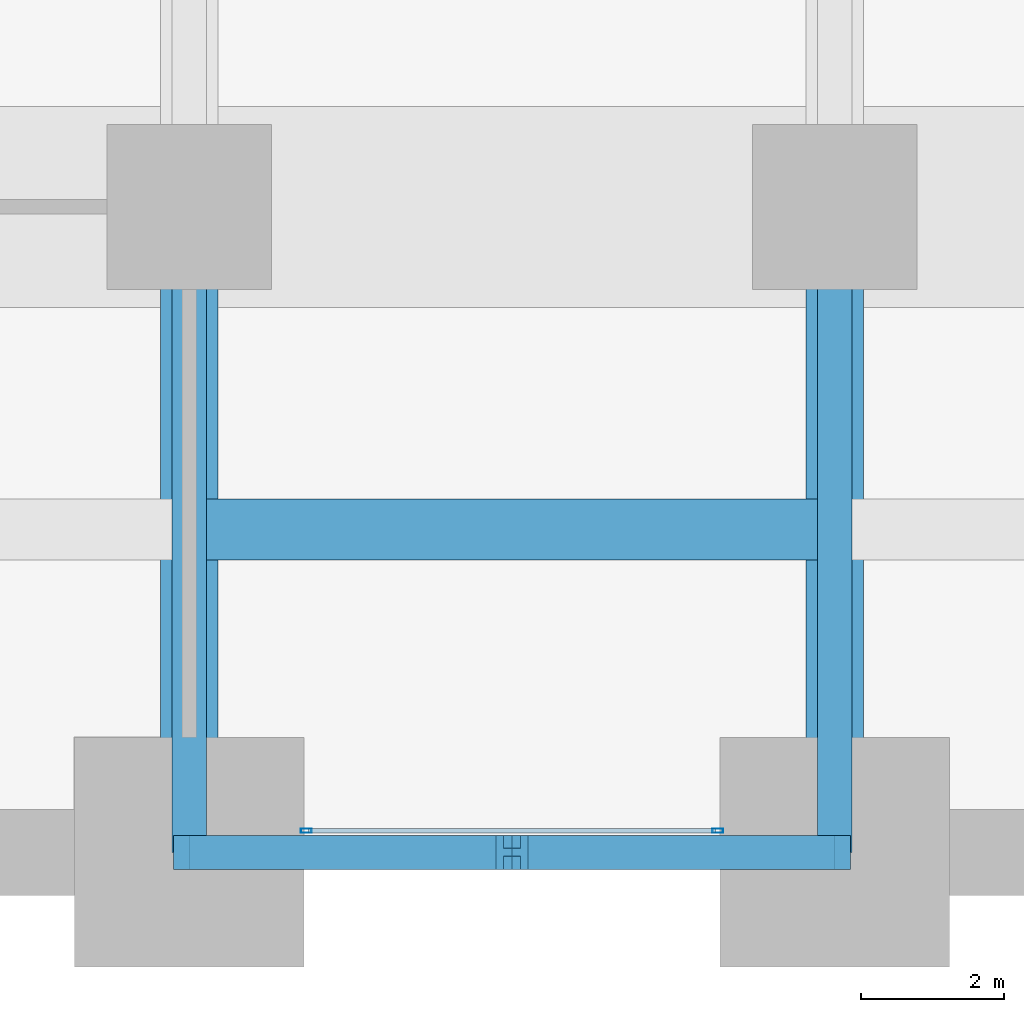
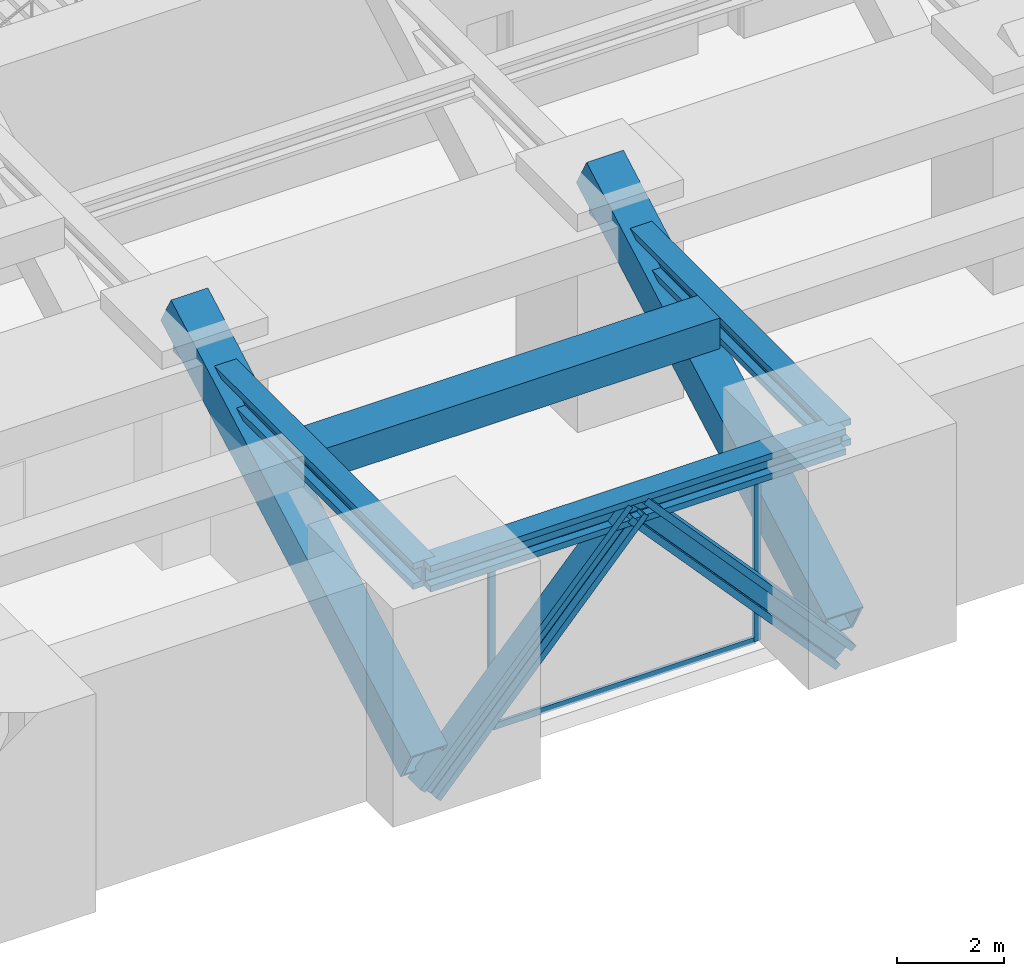
# One storey, part 4 of 35: 7 members, 4 beams, 1 element without a shape of its own.
"""IFC4 building model written with IfcOpenShell, lengths in metres."""

from ifc_helpers import new_model, si_unit, direction, frame, origin, origin_2d, place, context, subcontext, project, spatial, rectangle, hollow_rectangle, i_section, extrude, material, material_profile, profile_set, type_object, element, aggregate, save


model = new_model("IFC4")

# Units and contexts
model_context = context("Model", 3, precision=1e-05, world=origin(), true_north=direction((0.0, 1.0)))
body_context = subcontext(model_context, "Body", "Model", "MODEL_VIEW")
ifc_project = project(units=[si_unit("LENGTHUNIT", "METRE"), si_unit("AREAUNIT", "SQUARE_METRE"), si_unit("VOLUMEUNIT", "CUBIC_METRE"), si_unit("PLANEANGLEUNIT", "RADIAN"), si_unit("MASSUNIT", "GRAM", prefix="KILO")], contexts=[model_context])

# Site, building, storey
site_placement = place(None, origin())
site = spatial("IfcSite", under=ifc_project, at=site_placement, CompositionType="ELEMENT")
building_placement = place(site_placement, origin())
building = spatial("IfcBuilding", under=site, at=building_placement, Name="Zorevar Civic Tower", CompositionType="ELEMENT")
storey_placement = place(building_placement, frame((0.0, 0.0, 80.0)))
storey = spatial("IfcBuildingStorey", under=building, at=storey_placement, Name="L19", CompositionType="ELEMENT", Elevation=80.0)

# Beams
ifc_material_1 = material(Name="Concrete C50/60", Category="concrete")
ifc_material_profile_1 = material_profile(ifc_material_1, rectangle(XDim=0.85009765625, YDim=0.699951171875, at=origin_2d()), Name="RC 850x700")
ifc_profile_set_1 = profile_set([ifc_material_profile_1], Name="Concrete C50/60")
beam_type_1 = type_object("IfcBeamType", Name="Beam RC 850x700", PredefinedType="BEAM", material=ifc_profile_set_1)
beam_1_placement = place(storey_placement, frame((18.238037109375, 4.5, 4.25), z_axis=(1.0, 0.0, 0.0), x_axis=(0.0, 1.0, 0.0)))
element("IfcBeam", 1, at=beam_1_placement, inside=storey, type_object=beam_type_1, Name="Secondary beam L20", PredefinedType="BEAM", context=body_context, shape_type="SweptSolid", body=[
    extrude(rectangle(XDim=0.85009765625, YDim=0.699951171875, at=origin_2d()), origin(), (0.0, 0.0, 1.0), 8.52392578125),
])
ifc_material_2 = material(Name="Steel S460M (HISTAR 460)", Category="steel")
ifc_material_profile_2 = material_profile(ifc_material_2, i_section(OverallWidth=0.47607421875, OverallDepth=0.60009765625, WebThickness=0.10009765625, FlangeThickness=0.139892578125, FilletRadius=0.014892578125, at=origin_2d()), Name="HD 400x1299")
ifc_profile_set_2 = profile_set([ifc_material_profile_2], Name="Steel S460M (HISTAR 460)")
beam_type_2 = type_object("IfcBeamType", Name="Belt chord HD 400x1299", PredefinedType="BEAM", material=ifc_profile_set_2)
beam_2_placement = place(storey_placement, frame((18.0, 0.0, 4.300048828125), z_axis=(1.0, 0.0, 0.0), x_axis=(0.0, 1.0, 0.0)))
element("IfcBeam", 2, at=beam_2_placement, inside=storey, type_object=beam_type_2, Name="Belt chord L20", PredefinedType="BEAM", context=body_context, shape_type="SweptSolid", body=[
    extrude(i_section(OverallWidth=0.47607421875, OverallDepth=0.60009765625, WebThickness=0.10009765625, FlangeThickness=0.139892578125, FilletRadius=0.014892578125, at=origin_2d()), origin(), (0.0, 0.0, 1.0), 9.0),
])

# Members
ifc_material_3 = material(Name="Steel S460M (HISTAR 460)", Category="steel")
ifc_material_profile_3 = material_profile(ifc_material_3, i_section(OverallWidth=0.47607421875, OverallDepth=0.60009765625, WebThickness=0.10009765625, FlangeThickness=0.139892578125, FilletRadius=0.014892578125, at=origin_2d()), Name="HD 400x1299")
ifc_profile_set_3 = profile_set([ifc_material_profile_3], Name="Steel S460M (HISTAR 460)")
member_type_1 = type_object("IfcMemberType", Name="Belt strut HD 400x1299", PredefinedType="BRACE", material=ifc_profile_set_3)
for number, where, z_axis, x_axis, name in (
    (3, (18.0, 0.0, -0.64990234375), (0.672676426978, 0.0, 0.739936770669), (0.0, 1.0, 0.0), "Belt strut S L19"),
    (4, (27.0, 0.0, -0.64990234375), (-0.672676426978, 0.0, 0.739936770669), (0.0, -1.0, 0.0), "Belt strut S L19"),
):
    element("IfcMember", number, at=place(storey_placement, frame(where, z_axis=z_axis, x_axis=x_axis)), inside=storey, type_object=member_type_1, Name=name, PredefinedType="BRACE", context=body_context, shape_type="SweptSolid", body=[
        extrude(i_section(OverallWidth=0.47607421875, OverallDepth=0.60009765625, WebThickness=0.10009765625, FlangeThickness=0.139892578125, FilletRadius=0.014892578125, at=origin_2d()), origin(), (0.0, 0.0, 1.0), 6.689697265625),
    ])

# Curtain wall, members
ifc_material_4 = material(Name="Black aluminium louvres", Category="aluminium")
curtain_wall_type = type_object("IfcCurtainWallType", Name="Louvred curtain wall CW6 refuge", PredefinedType="NOTDEFINED", material=ifc_material_4)
curtain_wall_placement = place(storey_placement, origin())
curtain_wall = element("IfcCurtainWall", 5, at=curtain_wall_placement, inside=storey, type_object=curtain_wall_type, Name="CW6 L19", PredefinedType="NOTDEFINED")
ifc_material_5 = material(Name="Aluminium, black anodised", Category="aluminium")
ifc_material_profile_4 = material_profile(ifc_material_5, hollow_rectangle(XDim=0.06005859375, YDim=0.14990234375, WallThickness=0.00390625, at=origin_2d()), Name="AL 150x60x4")
ifc_profile_set_4 = profile_set([ifc_material_profile_4], Name="Aluminium, black anodised")
member_type_2 = type_object("IfcMemberType", Name="CW6 mullion AL 150x60x4", PredefinedType="MULLION", material=ifc_profile_set_4)
member_1_placement = place(storey_placement, frame((19.6298828125, 0.300048828125, 0.0), z_axis=(0.0, 0.0, 1.0), x_axis=(0.0, 1.0, 0.0)))
member_1 = element("IfcMember", 6, at=member_1_placement, type_object=member_type_2, Name="CW6 mullion 1", PredefinedType="MULLION", context=body_context, shape_type="SweptSolid", body=[
    extrude(hollow_rectangle(XDim=0.06005859375, YDim=0.14990234375, WallThickness=0.00390625, at=origin_2d()), origin(), (0.0, 0.0, 1.0), 3.800048828125),
])
member_2_placement = place(storey_placement, frame((25.3701171875, 0.300048828125, 0.0), z_axis=(0.0, 0.0, 1.0), x_axis=(0.0, 1.0, 0.0)))
member_2 = element("IfcMember", 7, at=member_2_placement, type_object=member_type_2, Name="CW6 mullion 2", PredefinedType="MULLION", context=body_context, shape_type="SweptSolid", body=[
    extrude(hollow_rectangle(XDim=0.06005859375, YDim=0.14990234375, WallThickness=0.00390625, at=origin_2d()), origin(), (0.0, 0.0, 1.0), 3.800048828125),
])
ifc_material_6 = material(Name="Aluminium, black anodised", Category="aluminium")
ifc_material_profile_5 = material_profile(ifc_material_6, hollow_rectangle(XDim=0.06005859375, YDim=0.14990234375, WallThickness=0.00390625, at=origin_2d()), Name="AL 150x60x4")
ifc_profile_set_5 = profile_set([ifc_material_profile_5], Name="Aluminium, black anodised")
member_type_3 = type_object("IfcMemberType", Name="CW6 transom AL 150x60x4", PredefinedType="USERDEFINED", material=ifc_profile_set_5)
member_3_placement = place(storey_placement, frame((19.659912109375, 0.300048828125, 0.030029296875), z_axis=(1.0, 0.0, 0.0), x_axis=(0.0, 1.0, 0.0)))
member_3 = element("IfcMember", 8, at=member_3_placement, type_object=member_type_3, Name="CW6 sill transom", ObjectType="TRANSOM", PredefinedType="USERDEFINED", context=body_context, shape_type="SweptSolid", body=[
    extrude(hollow_rectangle(XDim=0.06005859375, YDim=0.14990234375, WallThickness=0.00390625, at=origin_2d()), origin(), (0.0, 0.0, 1.0), 5.68017578125),
])
aggregate(curtain_wall, [member_1, member_2, member_3])

# Beams
ifc_material_7 = material(Name="Steel S460M (HISTAR 460)", Category="steel")
ifc_material_profile_6 = material_profile(ifc_material_7, i_section(OverallWidth=0.47607421875, OverallDepth=0.60009765625, WebThickness=0.10009765625, FlangeThickness=0.139892578125, FilletRadius=0.014892578125, at=origin_2d()), Name="HD 400x1299")
ifc_profile_set_6 = profile_set([ifc_material_profile_6], Name="Steel S460M (HISTAR 460)")
beam_type_3 = type_object("IfcBeamType", Name="Outrigger chord HD 400x1299", PredefinedType="BEAM", material=ifc_profile_set_6)
for number, where, z_axis, x_axis, name in (
    (9, (18.0, 0.0, 4.300048828125), (0.0, 1.0, 0.0), (-1.0, 0.0, 0.0), "Outrigger chord L20"),
    (10, (27.0, 0.0, 4.300048828125), (0.0, 1.0, 0.0), (-1.0, 0.0, 0.0), "Outrigger chord L20"),
):
    element("IfcBeam", number, at=place(storey_placement, frame(where, z_axis=z_axis, x_axis=x_axis)), inside=storey, type_object=beam_type_3, Name=name, PredefinedType="BEAM", context=body_context, shape_type="SweptSolid", body=[
        extrude(i_section(OverallWidth=0.47607421875, OverallDepth=0.60009765625, WebThickness=0.10009765625, FlangeThickness=0.139892578125, FilletRadius=0.014892578125, at=origin_2d()), origin(), (0.0, 0.0, 1.0), 9.0),
    ])

# Members
ifc_material_8 = material(Name="Steel S460M (HISTAR 460)", Category="steel")
ifc_material_profile_7 = material_profile(ifc_material_8, hollow_rectangle(XDim=0.800048828125, YDim=0.800048828125, WallThickness=0.06005859375, at=origin_2d()), Name="BOX 800x800x60")
ifc_profile_set_7 = profile_set([ifc_material_profile_7], Name="Steel S460M (HISTAR 460)")
member_type_4 = type_object("IfcMemberType", Name="Outrigger diagonal BOX 800x800x60", PredefinedType="BRACE", material=ifc_profile_set_7)
for number, where, z_axis, x_axis, name in (
    (11, (18.0, 9.0, 5.0), (0.0, -0.874157276122, -0.485642931179), (1.0, 0.0, 0.0), "Outrigger diagonal S L19"),
    (12, (27.0, 9.0, 5.0), (0.0, -0.874157276122, -0.485642931179), (1.0, 0.0, 0.0), "Outrigger diagonal S L19"),
):
    element("IfcMember", number, at=place(storey_placement, frame(where, z_axis=z_axis, x_axis=x_axis)), inside=storey, type_object=member_type_4, Name=name, PredefinedType="BRACE", context=body_context, shape_type="SweptSolid", body=[
        extrude(hollow_rectangle(XDim=0.800048828125, YDim=0.800048828125, WallThickness=0.06005859375, at=origin_2d()), origin(), (0.0, 0.0, 1.0), 10.295654296875),
    ])

save(model, "model.ifc")
